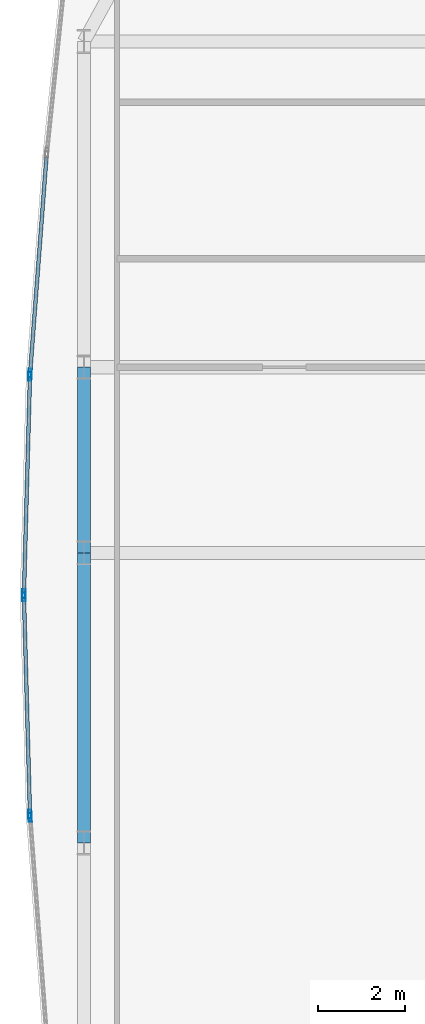
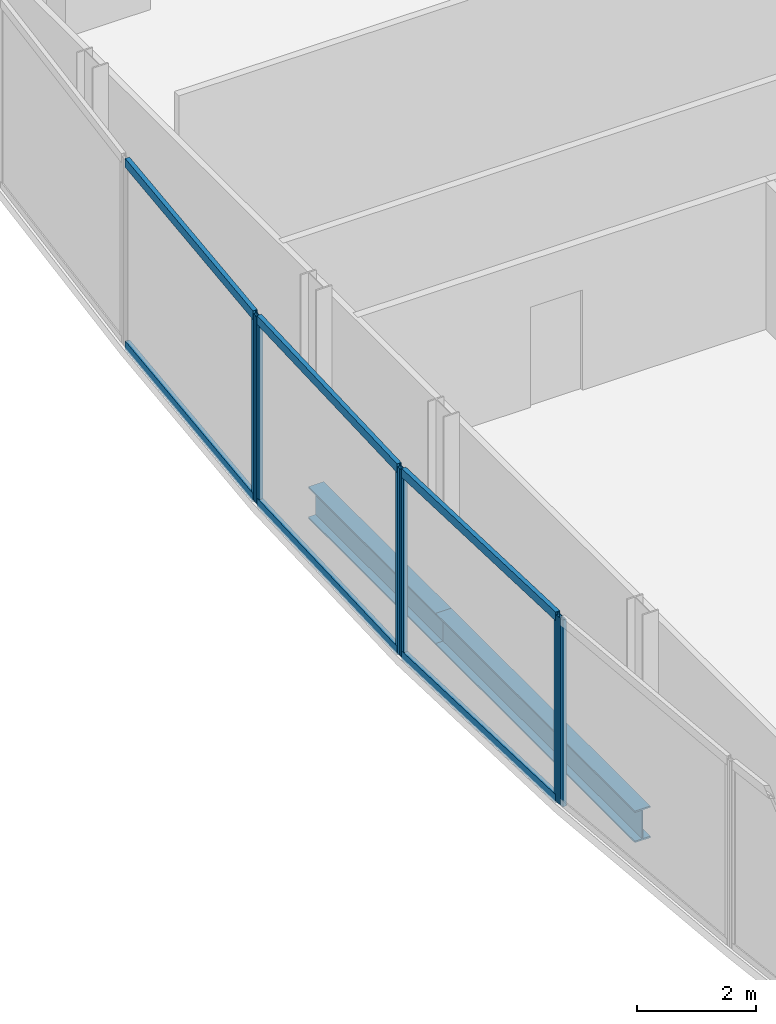
# One storey, part 10 of 32: 12 members, 2 beams, 4 elements without a shape of their own.
"""IFC4 building model written with IfcOpenShell, lengths in metres."""

from ifc_helpers import new_model, si_unit, direction, frame, origin, origin_2d, place, context, subcontext, project, spatial, hollow_rectangle, i_section, extrude, material, material_profile, profile_set, type_object, element, aggregate, save


model = new_model("IFC4")

# Units and contexts
model_context = context("Model", 3, precision=1e-05, world=origin(), true_north=direction((0.0, 1.0)))
body_context = subcontext(model_context, "Body", "Model", "MODEL_VIEW")
ifc_project = project(units=[si_unit("LENGTHUNIT", "METRE"), si_unit("AREAUNIT", "SQUARE_METRE"), si_unit("VOLUMEUNIT", "CUBIC_METRE"), si_unit("PLANEANGLEUNIT", "RADIAN"), si_unit("MASSUNIT", "GRAM", prefix="KILO")], contexts=[model_context])

# Site, building, storey
site_placement = place(None, origin())
site = spatial("IfcSite", under=ifc_project, at=site_placement, CompositionType="ELEMENT")
building_placement = place(site_placement, origin())
building = spatial("IfcBuilding", under=site, at=building_placement, Name="Khoronbel Lancet Exchange", CompositionType="ELEMENT")
storey_placement = place(building_placement, frame((0.0, 0.0, 29.800048828125)))
storey = spatial("IfcBuildingStorey", under=building, at=storey_placement, Name="L06", CompositionType="ELEMENT", Elevation=29.800048828125)

# Beams
ifc_material_1 = material(Name="Steel S355", Category="steel")
ifc_material_profile_1 = material_profile(ifc_material_1, i_section(OverallWidth=0.300048828125, OverallDepth=0.64990234375, WebThickness=0.01611328125, FlangeThickness=0.031005859375, at=origin_2d()), Name="HEB 650")
ifc_profile_set_1 = profile_set([ifc_material_profile_1], Name="Steel S355")
beam_type = type_object("IfcBeamType", Name="BM-BSP1", PredefinedType="SPANDREL", material=ifc_profile_set_1)
beam_1_placement = place(storey_placement, frame((1.27001953125, 35.699951171875, -0.505126953125), z_axis=(0.0, -1.0, 0.0), x_axis=(1.0, 0.0, 0.0)))
element("IfcBeam", 1, at=beam_1_placement, inside=storey, type_object=beam_type, Name="Level L06 perimeter spandrel beam SP18", PredefinedType="SPANDREL", context=body_context, shape_type="SweptSolid", body=[
    extrude(i_section(OverallWidth=0.300048828125, OverallDepth=0.64990234375, WebThickness=0.01611328125, FlangeThickness=0.031005859375, at=origin_2d()), origin(), (0.0, 0.0, 1.0), 4.27490234375),
])
beam_2_placement = place(storey_placement, frame((1.27001953125, 31.425048828125, -0.505126953125), z_axis=(0.0, -1.0, 0.0), x_axis=(1.0, 0.0, 0.0)))
element("IfcBeam", 2, at=beam_2_placement, inside=storey, type_object=beam_type, Name="Level L06 perimeter spandrel beam SP19", PredefinedType="SPANDREL", context=body_context, shape_type="SweptSolid", body=[
    extrude(i_section(OverallWidth=0.300048828125, OverallDepth=0.64990234375, WebThickness=0.01611328125, FlangeThickness=0.031005859375, at=origin_2d()), origin(), (0.0, 0.0, 1.0), 6.675048828125),
])

# Curtain wall, member
ifc_material_2 = material(Name="Low-E Solar Control Insulating Glass", Category="glass")
curtain_wall_type = type_object("IfcCurtainWallType", Name="CW-4", PredefinedType="NOTDEFINED", material=ifc_material_2)
curtain_wall_1_placement = place(storey_placement, origin())
curtain_wall_1 = element("IfcCurtainWall", 3, at=curtain_wall_1_placement, inside=storey, type_object=curtain_wall_type, Name="Unitised curtain wall CW-L06-E05", PredefinedType="NOTDEFINED")
ifc_material_3 = material(Name="Bronze-Anodised Aluminium 6063-T6", Category="aluminium")
ifc_material_profile_2 = material_profile(ifc_material_3, hollow_rectangle(XDim=0.074951171875, YDim=0.199951171875, WallThickness=0.0048828125, at=origin_2d()), Name="ALU MULLION 75x200")
ifc_profile_set_2 = profile_set([ifc_material_profile_2], Name="Bronze-Anodised Aluminium 6063-T6")
member_type_1 = type_object("IfcMemberType", Name="MEM-CWM2", PredefinedType="MULLION", material=ifc_profile_set_2)
member_1_placement = place(storey_placement, frame((0.033447265625, 25.333984375, 0.0), z_axis=(0.0, 0.0, 1.0), x_axis=(-0.997153744129, -0.075395030141, 0.0)))
member_1 = element("IfcMember", 4, at=member_1_placement, type_object=member_type_1, Name="CW4 mullion 2", PredefinedType="MULLION", context=body_context, shape_type="SweptSolid", body=[
    extrude(hollow_rectangle(XDim=0.074951171875, YDim=0.199951171875, WallThickness=0.0048828125, at=origin_2d()), origin(), (0.0, 0.0, 1.0), 3.820068359375),
])
aggregate(curtain_wall_1, [member_1])

# Curtain wall, members
curtain_wall_2_placement = place(storey_placement, origin())
curtain_wall_2 = element("IfcCurtainWall", 5, at=curtain_wall_2_placement, inside=storey, type_object=curtain_wall_type, Name="Unitised curtain wall CW-L06-E06", PredefinedType="NOTDEFINED")
member_2_placement = place(storey_placement, frame((0.029541015625, 25.40869140625, 0.0), z_axis=(0.0, 0.0, 1.0), x_axis=(-0.999617011286, -0.027673647157, 0.0)))
member_2 = element("IfcMember", 6, at=member_2_placement, type_object=member_type_1, Name="CW4 mullion 1", PredefinedType="MULLION", context=body_context, shape_type="SweptSolid", body=[
    extrude(hollow_rectangle(XDim=0.074951171875, YDim=0.199951171875, WallThickness=0.0048828125, at=origin_2d()), origin(), (0.0, 0.0, 1.0), 3.820068359375),
])
member_3_placement = place(storey_placement, frame((-0.10888671875, 30.41259765625, 0.0), z_axis=(0.0, 0.0, 1.0), x_axis=(-0.999617011286, -0.027673647157, 0.0)))
member_3 = element("IfcMember", 7, at=member_3_placement, type_object=member_type_1, Name="CW4 mullion 2", PredefinedType="MULLION", context=body_context, shape_type="SweptSolid", body=[
    extrude(hollow_rectangle(XDim=0.074951171875, YDim=0.199951171875, WallThickness=0.0048828125, at=origin_2d()), origin(), (0.0, 0.0, 1.0), 3.820068359375),
])

curtain_wall_3_placement = place(storey_placement, origin())
curtain_wall_3 = element("IfcCurtainWall", 8, at=curtain_wall_3_placement, inside=storey, type_object=curtain_wall_type, Name="Unitised curtain wall CW-L06-E07", PredefinedType="NOTDEFINED")
member_4_placement = place(storey_placement, frame((-0.10888671875, 30.487548828125, 0.0), z_axis=(0.0, 0.0, 1.0), x_axis=(-0.999617011286, 0.027673647157, 0.0)))
member_4 = element("IfcMember", 9, at=member_4_placement, type_object=member_type_1, Name="CW4 mullion 1", PredefinedType="MULLION", context=body_context, shape_type="SweptSolid", body=[
    extrude(hollow_rectangle(XDim=0.074951171875, YDim=0.199951171875, WallThickness=0.0048828125, at=origin_2d()), origin(), (0.0, 0.0, 1.0), 3.820068359375),
])
member_5_placement = place(storey_placement, frame((0.029541015625, 35.4912109375, 0.0), z_axis=(0.0, 0.0, 1.0), x_axis=(-0.999617011286, 0.027673647157, 0.0)))
member_5 = element("IfcMember", 10, at=member_5_placement, type_object=member_type_1, Name="CW4 mullion 2", PredefinedType="MULLION", context=body_context, shape_type="SweptSolid", body=[
    extrude(hollow_rectangle(XDim=0.074951171875, YDim=0.199951171875, WallThickness=0.0048828125, at=origin_2d()), origin(), (0.0, 0.0, 1.0), 3.820068359375),
])

# Curtain wall, member
curtain_wall_4_placement = place(storey_placement, origin())
curtain_wall_4 = element("IfcCurtainWall", 11, at=curtain_wall_4_placement, inside=storey, type_object=curtain_wall_type, Name="Unitised curtain wall CW-L06-E08", PredefinedType="NOTDEFINED")
member_6_placement = place(storey_placement, frame((0.033447265625, 35.566162109375, 0.0), z_axis=(0.0, 0.0, 1.0), x_axis=(-0.997153744129, 0.075395030141, 0.0)))
member_6 = element("IfcMember", 12, at=member_6_placement, type_object=member_type_1, Name="CW4 mullion 1", PredefinedType="MULLION", context=body_context, shape_type="SweptSolid", body=[
    extrude(hollow_rectangle(XDim=0.074951171875, YDim=0.199951171875, WallThickness=0.0048828125, at=origin_2d()), origin(), (0.0, 0.0, 1.0), 3.820068359375),
])

# Member
ifc_material_profile_3 = material_profile(ifc_material_3, hollow_rectangle(XDim=0.0849609375, YDim=0.179931640625, WallThickness=0.0048828125, at=origin_2d()), Name="ALU TRANSOM 85x180")
ifc_profile_set_3 = profile_set([ifc_material_profile_3], Name="Bronze-Anodised Aluminium 6063-T6")
member_type_2 = type_object("IfcMemberType", Name="MEM-CWT1", PredefinedType="USERDEFINED", material=ifc_profile_set_3)
member_7_placement = place(storey_placement, frame((0.028564453125, 25.4462890625, 0.04248046875), z_axis=(-0.027679107628, 0.999616860102, 0.0), x_axis=(-0.999616860102, -0.027679107628, 0.0)))
member_7 = element("IfcMember", 13, at=member_7_placement, type_object=member_type_2, Name="CW4 transom 1.1", ObjectType="TRANSOM", PredefinedType="USERDEFINED", context=body_context, shape_type="SweptSolid", body=[
    extrude(hollow_rectangle(XDim=0.0849609375, YDim=0.179931640625, WallThickness=0.0048828125, at=origin_2d()), origin(), (0.0, 0.0, 1.0), 4.9306640625),
])

member_8_placement = place(storey_placement, frame((0.028564453125, 25.4462890625, 3.77734375), z_axis=(-0.027679107628, 0.999616860102, 0.0), x_axis=(-0.999616860102, -0.027679107628, 0.0)))
member_8 = element("IfcMember", 14, at=member_8_placement, type_object=member_type_2, Name="CW4 transom 1.2", ObjectType="TRANSOM", PredefinedType="USERDEFINED", context=body_context, shape_type="SweptSolid", body=[
    extrude(hollow_rectangle(XDim=0.0849609375, YDim=0.179931640625, WallThickness=0.0048828125, at=origin_2d()), origin(), (0.0, 0.0, 1.0), 4.9306640625),
])

aggregate(curtain_wall_2, [member_2, member_3, member_7, member_8])

member_9_placement = place(storey_placement, frame((-0.10791015625, 30.52490234375, 0.04248046875), z_axis=(0.027679107628, 0.999616860102, 0.0), x_axis=(-0.999616860102, 0.027679107628, 0.0)))
member_9 = element("IfcMember", 15, at=member_9_placement, type_object=member_type_2, Name="CW4 transom 1.1", ObjectType="TRANSOM", PredefinedType="USERDEFINED", context=body_context, shape_type="SweptSolid", body=[
    extrude(hollow_rectangle(XDim=0.0849609375, YDim=0.179931640625, WallThickness=0.0048828125, at=origin_2d()), origin(), (0.0, 0.0, 1.0), 4.9306640625),
])

member_10_placement = place(storey_placement, frame((-0.10791015625, 30.52490234375, 3.77734375), z_axis=(0.027679107628, 0.999616860102, 0.0), x_axis=(-0.999616860102, 0.027679107628, 0.0)))
member_10 = element("IfcMember", 16, at=member_10_placement, type_object=member_type_2, Name="CW4 transom 1.2", ObjectType="TRANSOM", PredefinedType="USERDEFINED", context=body_context, shape_type="SweptSolid", body=[
    extrude(hollow_rectangle(XDim=0.0849609375, YDim=0.179931640625, WallThickness=0.0048828125, at=origin_2d()), origin(), (0.0, 0.0, 1.0), 4.9306640625),
])

aggregate(curtain_wall_3, [member_4, member_5, member_9, member_10])

member_11_placement = place(storey_placement, frame((0.0361328125, 35.603515625, 0.04248046875), z_axis=(0.07539754774, 0.997153553769, 0.0), x_axis=(-0.997153553769, 0.07539754774, 0.0)))
member_11 = element("IfcMember", 17, at=member_11_placement, type_object=member_type_2, Name="CW4 transom 1.1", ObjectType="TRANSOM", PredefinedType="USERDEFINED", context=body_context, shape_type="SweptSolid", body=[
    extrude(hollow_rectangle(XDim=0.0849609375, YDim=0.179931640625, WallThickness=0.0048828125, at=origin_2d()), origin(), (0.0, 0.0, 1.0), 4.944580078125),
])

member_12_placement = place(storey_placement, frame((0.0361328125, 35.603515625, 3.77734375), z_axis=(0.07539754774, 0.997153553769, 0.0), x_axis=(-0.997153553769, 0.07539754774, 0.0)))
member_12 = element("IfcMember", 18, at=member_12_placement, type_object=member_type_2, Name="CW4 transom 1.2", ObjectType="TRANSOM", PredefinedType="USERDEFINED", context=body_context, shape_type="SweptSolid", body=[
    extrude(hollow_rectangle(XDim=0.0849609375, YDim=0.179931640625, WallThickness=0.0048828125, at=origin_2d()), origin(), (0.0, 0.0, 1.0), 4.944580078125),
])

aggregate(curtain_wall_4, [member_6, member_11, member_12])

save(model, "model.ifc")
